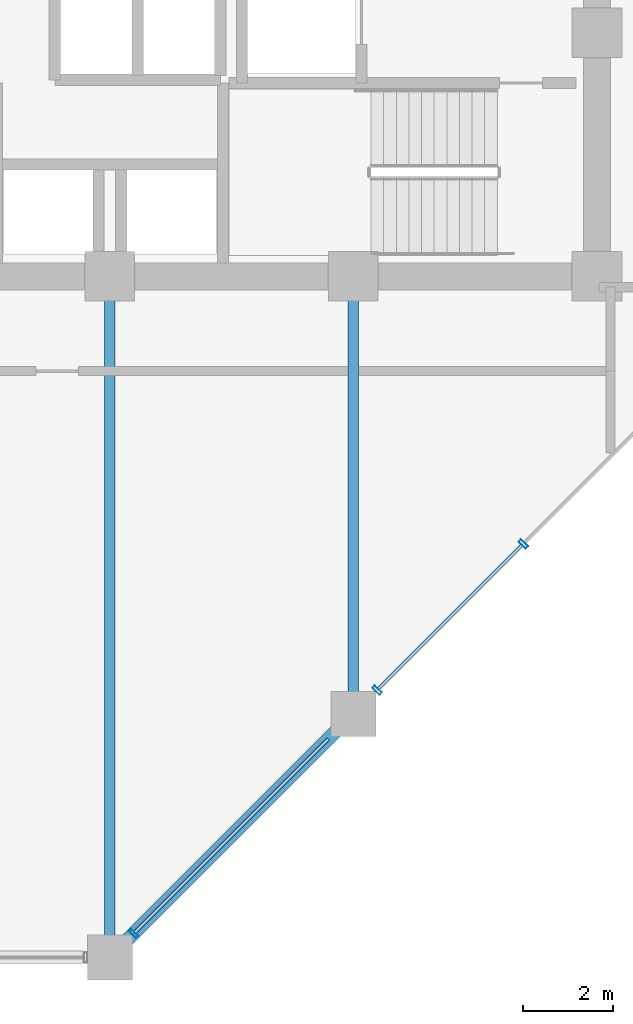
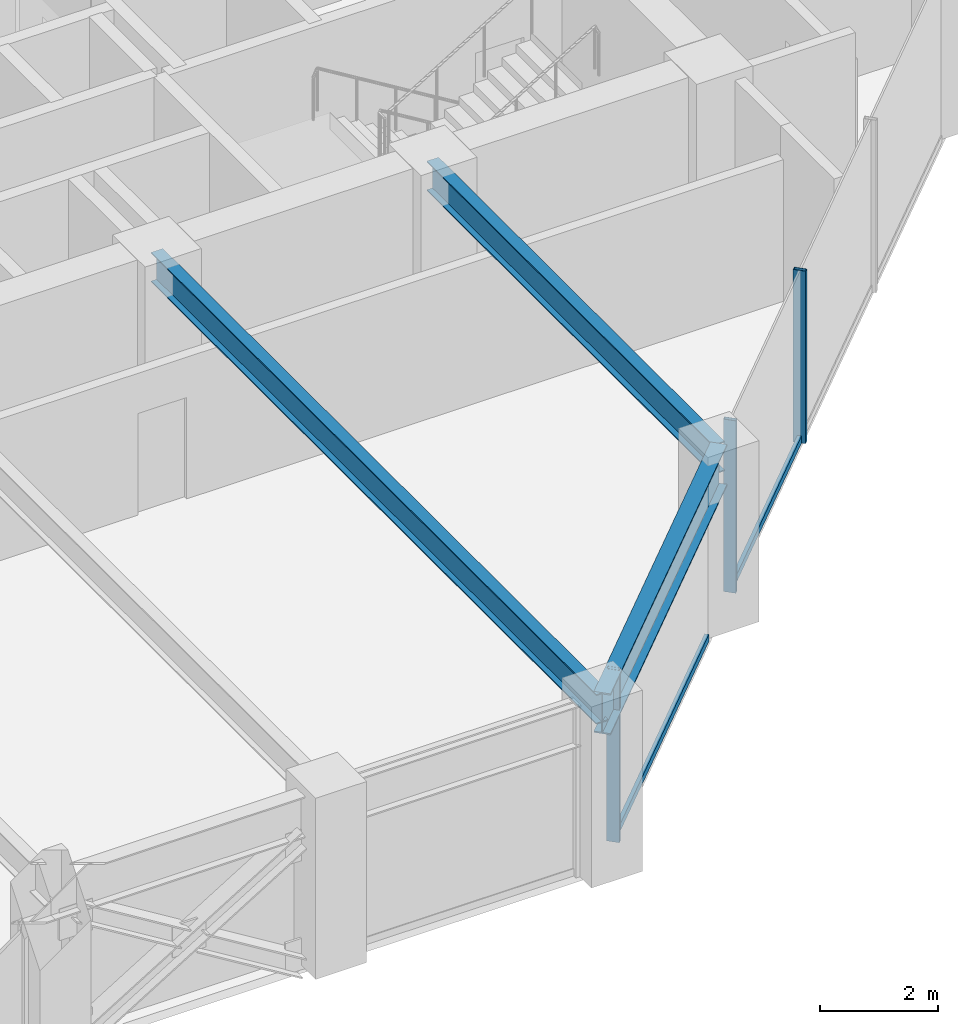
# One storey, part 7 of 23: 5 members, 3 beams, 1 element without a shape of its own.
"""IFC4 building model written with IfcOpenShell, lengths in metres."""

import ifcopenshell
import ifcopenshell.guid

model = None  # the IFC model being written
_history = None  # IfcOwnerHistory: only IFC2X3 demands one
_inside = {}  # id of a spatial element -> (the spatial element, [elements in it])
_under = {}  # id of a project, library or spatial element -> (it, [spatial elements below it])
_declared = {}  # id of a project -> (the project, [libraries it declares])
_typed = {}  # id of a type object -> (the type object, [elements of that type])
_made_of = {}  # id of a material, layer set ... -> (it, [elements and type objects made of it])


def new_model(schema):
    """Start an empty IFC model of exactly this schema.

    Asked for "IFC4X3", IfcOpenShell would pick the latest addendum, in which some entities
    have other attributes; the version numbers below select the first issue.
    IFC2X3 requires an IfcOwnerHistory on every rooted entity: one is made here for all.
    """
    global model, _history
    if schema == "IFC4X3":
        model = ifcopenshell.file(schema_version=(4, 3, 0, 0))
    else:
        model = ifcopenshell.file(schema=schema)
    _inside.clear()
    _under.clear()
    _declared.clear()
    _typed.clear()
    _made_of.clear()
    _history = None
    if model.schema == "IFC2X3":
        org = make("IfcOrganization", Name="unknown")
        user = make(
            "IfcPersonAndOrganization",
            ThePerson=make("IfcPerson", FamilyName="unknown"),
            TheOrganization=org,
        )
        app = make(
            "IfcApplication",
            ApplicationDeveloper=org,
            Version="unknown",
            ApplicationFullName="unknown",
            ApplicationIdentifier="unknown",
        )
        _history = make(
            "IfcOwnerHistory",
            OwningUser=user,
            OwningApplication=app,
            ChangeAction="ADDED",
            CreationDate=0,
        )
    return model


def make(cls, **values):
    """One entity of the class cls with the attributes given. An attribute that is None is left unset."""
    return model.create_entity(
        cls, **{name: value for name, value in values.items() if value is not None}
    )


def rooted(cls, **values):
    """An entity with a GlobalId (a new one), such as an element, a storey or a relation."""
    return make(cls, GlobalId=ifcopenshell.guid.new(), OwnerHistory=_history, **values)


def si_unit(unit_type, name, prefix=None):
    """IfcSIUnit, for example si_unit("LENGTHUNIT", "METRE", prefix="MILLI")."""
    return make("IfcSIUnit", UnitType=unit_type, Prefix=prefix, Name=name)


def assignment(units):
    """IfcUnitAssignment: the units of a project."""
    return None if units is None else make("IfcUnitAssignment", Units=units)


def point(xyz):
    """IfcCartesianPoint."""
    return None if xyz is None else make("IfcCartesianPoint", Coordinates=xyz)


def direction(xyz):
    """IfcDirection."""
    return None if xyz is None else make("IfcDirection", DirectionRatios=xyz)


def frame(location, z_axis=None, x_axis=None):
    """IfcAxis2Placement3D, a coordinate frame: its origin and axes. An axis left out is left unset."""
    return make(
        "IfcAxis2Placement3D",
        Location=point(location),
        Axis=direction(z_axis),
        RefDirection=direction(x_axis),
    )


def frame_2d(location, x_axis=None):
    """IfcAxis2Placement2D, a coordinate frame in the plane: its origin and x axis."""
    return make(
        "IfcAxis2Placement2D", Location=point(location), RefDirection=direction(x_axis)
    )


def origin():
    """The frame at (0, 0, 0) with its axes left unset."""
    return frame((0.0, 0.0, 0.0))


def origin_2d():
    """The frame at (0, 0) in the plane with its x axis left unset."""
    return frame_2d((0.0, 0.0))


def place(relative_to, where):
    """IfcLocalPlacement: puts the frame where relative to a parent placement (None: the world)."""
    return make(
        "IfcLocalPlacement", PlacementRelTo=relative_to, RelativePlacement=where
    )


def context(
    kind, dimensions, precision=None, world=None, true_north=None, identifier=None
):
    """IfcGeometricRepresentationContext, for example the 3D "Model" context."""
    return make(
        "IfcGeometricRepresentationContext",
        ContextIdentifier=identifier,
        ContextType=kind,
        CoordinateSpaceDimension=dimensions,
        Precision=precision,
        WorldCoordinateSystem=world,
        TrueNorth=true_north,
    )


def subcontext(parent, identifier, kind, view, scale=None):
    """IfcGeometricRepresentationSubContext, for example "Body" below "Model"."""
    return make(
        "IfcGeometricRepresentationSubContext",
        ContextIdentifier=identifier,
        ContextType=kind,
        ParentContext=parent,
        TargetScale=scale,
        TargetView=view,
    )


def project(units=None, contexts=None):
    """IfcProject with its units and contexts."""
    return rooted(
        "IfcProject",
        Name="project",
        RepresentationContexts=contexts,
        UnitsInContext=assignment(units),
    )


def spatial(cls, under=None, at=None, **own):
    """A site, building, storey or space (cls), placed at a placement, below another one or the project."""
    s = rooted(cls, ObjectPlacement=at, **own)
    if under is not None:
        _under.setdefault(under.id(), (under, []))[1].append(s)
    return s


def profile(cls, at=None, kind="AREA", **sizes):
    """A parametric profile (cls). Its sizes go by their IFC names, for example OverallWidth=200.0."""
    return make(cls, ProfileType=kind, Position=at, **sizes)


def hollow_rectangle(**sizes):
    """IfcRectangleHollowProfileDef."""
    return profile("IfcRectangleHollowProfileDef", **sizes)


def i_section(**sizes):
    """IfcIShapeProfileDef."""
    return profile("IfcIShapeProfileDef", **sizes)


def extrude(swept, where, along, depth):
    """IfcExtrudedAreaSolid: the profile swept, set in the frame where, extruded along a direction by depth."""
    return make(
        "IfcExtrudedAreaSolid",
        SweptArea=swept,
        Position=where,
        ExtrudedDirection=direction(along),
        Depth=depth,
    )


def shape(context_of_items, identifier, shape_type, items):
    """IfcShapeRepresentation: the items that make up one representation, for example the "Body"."""
    return make(
        "IfcShapeRepresentation",
        ContextOfItems=context_of_items,
        RepresentationIdentifier=identifier,
        RepresentationType=shape_type,
        Items=items,
    )


def material(Name=None, Category=None):
    """IfcMaterial."""
    return make("IfcMaterial", Name=Name, Category=Category)


def layer(
    of_material, thickness, ventilated=None, Name=None, Category=None, Priority=None
):
    """IfcMaterialLayer: one layer of a wall or slab, of a material (None: an air gap)."""
    return make(
        "IfcMaterialLayer",
        Material=of_material,
        LayerThickness=thickness,
        IsVentilated=ventilated,
        Name=Name,
        Category=Category,
        Priority=Priority,
    )


def layer_set(layers, Name=None):
    """IfcMaterialLayerSet."""
    return make("IfcMaterialLayerSet", MaterialLayers=layers, LayerSetName=Name)


def material_profile(
    of_material, cross_section, Name=None, Category=None, Priority=None
):
    """IfcMaterialProfile: a cross section and its material."""
    return make(
        "IfcMaterialProfile",
        Name=Name,
        Material=of_material,
        Profile=cross_section,
        Priority=Priority,
        Category=Category,
    )


def profile_set(profiles, Name=None, composite=None):
    """IfcMaterialProfileSet."""
    return make(
        "IfcMaterialProfileSet",
        Name=Name,
        MaterialProfiles=profiles,
        CompositeProfile=composite,
    )


def made_of(thing, what):
    """Note that an element or type object is made of a material, layer set ...; save() writes the relation."""
    if what is not None:
        _made_of.setdefault(what.id(), (what, []))[1].append(thing)
    return thing


def type_object(cls, material=None, **own):
    """A type object (cls), such as IfcWallType, which elements share."""
    return made_of(rooted(cls, **own), material)


def element(
    cls,
    number,
    at=None,
    inside=None,
    cuts=None,
    type_object=None,
    material=None,
    context=None,
    identifier="Body",
    shape_type=None,
    held_by="IfcProductDefinitionShape",
    body=None,
    shapes=None,
    **own,
):
    """One element of the class cls, such as IfcWall. Its Tag is "e" and its number.

    at: its placement. inside: the storey or other place that contains it. cuts: it is an
    opening in that element (IfcRelVoidsElement). A single representation is given by context,
    identifier, shape_type and body (its items); several are given by shapes. held_by: the class
    of the entity that holds the representations. save() writes the other relations.
    """
    e = rooted(cls, Tag="e%d" % number, ObjectPlacement=at, **own)
    if body is not None:
        shapes = [shape(context, identifier, shape_type, body)]
    if shapes is not None:
        e.Representation = make(held_by, Representations=shapes)
    if inside is not None:
        _inside.setdefault(inside.id(), (inside, []))[1].append(e)
    if cuts is not None:
        rooted(
            "IfcRelVoidsElement", RelatingBuildingElement=cuts, RelatedOpeningElement=e
        )
    if type_object is not None:
        _typed.setdefault(type_object.id(), (type_object, []))[1].append(e)
    return made_of(e, material)


def aggregate(whole, parts):
    """IfcRelAggregates: a whole, such as a stair, and the parts it consists of."""
    return rooted("IfcRelAggregates", RelatingObject=whole, RelatedObjects=parts)


def save(model, path):
    """Write the relations noted so far, then the file.

    IfcRelAggregates (storeys below a building ...), IfcRelContainedInSpatialStructure (elements
    in a storey), IfcRelDefinesByType, IfcRelAssociatesMaterial and IfcRelDeclares: one each for
    every whole, place, type object, material and project.
    """
    for whole, parts in _under.values():
        aggregate(whole, parts)
    for where, things in _inside.values():
        rooted(
            "IfcRelContainedInSpatialStructure",
            RelatedElements=things,
            RelatingStructure=where,
        )
    for kind, things in _typed.values():
        rooted("IfcRelDefinesByType", RelatedObjects=things, RelatingType=kind)
    for what, things in _made_of.values():
        rooted("IfcRelAssociatesMaterial", RelatedObjects=things, RelatingMaterial=what)
    for by, libraries in _declared.values():
        rooted("IfcRelDeclares", RelatingContext=by, RelatedDefinitions=libraries)
    model.write(path)


model = new_model("IFC4")

# Units and contexts
model_context = context("Model", 3, precision=1e-05, world=origin(), true_north=direction((0.0, 1.0)))
body_context = subcontext(model_context, "Body", "Model", "MODEL_VIEW")
ifc_project = project(units=[si_unit("LENGTHUNIT", "METRE"), si_unit("AREAUNIT", "SQUARE_METRE"), si_unit("VOLUMEUNIT", "CUBIC_METRE"), si_unit("PLANEANGLEUNIT", "RADIAN"), si_unit("MASSUNIT", "GRAM", prefix="KILO")], contexts=[model_context])

# Site, building, storey
site_placement = place(None, origin())
site = spatial("IfcSite", under=ifc_project, at=site_placement, CompositionType="ELEMENT")
building_placement = place(site_placement, origin())
building = spatial("IfcBuilding", under=site, at=building_placement, Name="Surkhivell Harbour Commons", CompositionType="ELEMENT")
storey_placement = place(building_placement, frame((0.0, 0.0, 132.0)))
storey = spatial("IfcBuildingStorey", under=building, at=storey_placement, Name="L34", CompositionType="ELEMENT", Elevation=132.0)

# Beams
ifc_material_1 = material(Name="Steel S355", Category="steel")
ifc_material_profile_1 = material_profile(ifc_material_1, i_section(OverallWidth=0.22998046875, OverallDepth=0.616943359375, WebThickness=0.01318359375, FlangeThickness=0.022216796875, at=origin_2d()), Name="UB610x229x140")
ifc_profile_set_1 = profile_set([ifc_material_profile_1], Name="Steel S355")
beam_type_1 = type_object("IfcBeamType", Name="BM-GRD-610B", PredefinedType="BEAM", material=ifc_profile_set_1)
beam_1_placement = place(storey_placement, frame((0.0, -25.89990234375, 3.261474609375), z_axis=(0.0, 1.0, 0.0), x_axis=(-1.0, 0.0, 0.0)))
element("IfcBeam", 1, at=beam_1_placement, inside=storey, type_object=beam_type_1, Name="L34 Floor Girder (0.0,-25.9)", PredefinedType="BEAM", context=body_context, shape_type="SweptSolid", body=[
    extrude(i_section(OverallWidth=0.22998046875, OverallDepth=0.616943359375, WebThickness=0.01318359375, FlangeThickness=0.022216796875, at=origin_2d()), origin(), (0.0, 0.0, 1.0), 15.099853515625),
])
beam_2_placement = place(storey_placement, frame((5.39990234375, -20.5, 3.261474609375), z_axis=(0.0, 1.0, 0.0), x_axis=(-1.0, 0.0, 0.0)))
element("IfcBeam", 2, at=beam_2_placement, inside=storey, type_object=beam_type_1, Name="L34 Floor Girder (5.4,-20.5)", PredefinedType="BEAM", context=body_context, shape_type="SweptSolid", body=[
    extrude(i_section(OverallWidth=0.22998046875, OverallDepth=0.616943359375, WebThickness=0.01318359375, FlangeThickness=0.022216796875, at=origin_2d()), origin(), (0.0, 0.0, 1.0), 9.699951171875),
])
ifc_material_2 = material(Name="Steel S460", Category="steel")
ifc_material_profile_2 = material_profile(ifc_material_2, i_section(OverallWidth=0.2939453125, OverallDepth=0.85107421875, WebThickness=0.01611328125, FlangeThickness=0.02685546875, at=origin_2d()), Name="UB838x292x226")
ifc_profile_set_2 = profile_set([ifc_material_profile_2], Name="Steel S460")
beam_type_2 = type_object("IfcBeamType", Name="BM-SPN-838", PredefinedType="SPANDREL", material=ifc_profile_set_2)
beam_3_placement = place(storey_placement, frame((0.0, -25.89990234375, 3.14453125), z_axis=(0.707106781187, 0.707106781187, 0.0), x_axis=(-0.707106781187, 0.707106781187, 0.0)))
element("IfcBeam", 3, at=beam_3_placement, inside=storey, type_object=beam_type_2, Name="L34 Tube Spandrel (-0.0,-25.9)", PredefinedType="SPANDREL", context=body_context, shape_type="SweptSolid", body=[
    extrude(i_section(OverallWidth=0.2939453125, OverallDepth=0.85107421875, WebThickness=0.01611328125, FlangeThickness=0.02685546875, at=origin_2d()), origin(), (0.0, 0.0, 1.0), 7.63671875),
])

# Curtain wall, members
ifc_material_3 = material(Name="Anodised pale-metal aluminium and insulated glazing", Category="aluminium")
ifc_layer = layer(ifc_material_3, 0.205078125)
ifc_layer_set = layer_set([ifc_layer], Name="Anodised pale-metal aluminium and insulated glazing")
curtain_wall_type = type_object("IfcCurtainWallType", Name="CW-SYS-Z2", PredefinedType="NOTDEFINED", material=ifc_layer_set)
curtain_wall_placement = place(storey_placement, origin())
curtain_wall = element("IfcCurtainWall", 4, at=curtain_wall_placement, inside=storey, type_object=curtain_wall_type, Name="L34 Curtain Wall CW-L34-E01", PredefinedType="NOTDEFINED")
ifc_material_4 = material(Name="Anodised pale-metal aluminium alloy 6063-T6", Category="aluminium")
ifc_material_profile_3 = material_profile(ifc_material_4, hollow_rectangle(XDim=0.074951171875, YDim=0.219970703125, WallThickness=0.00390625, at=origin_2d()), Name="ALU-MULL-75x220")
ifc_profile_set_3 = profile_set([ifc_material_profile_3], Name="Anodised pale-metal aluminium alloy 6063-T6")
member_type_1 = type_object("IfcMemberType", Name="CWM-220", PredefinedType="MULLION", material=ifc_profile_set_3)
member_1_placement = place(storey_placement, frame((0.5283203125, -25.371826171875, 0.0), z_axis=(0.0, 0.0, 1.0), x_axis=(0.707106781187, 0.707106781187, 0.0)))
member_1 = element("IfcMember", 5, at=member_1_placement, type_object=member_type_1, Name="CW-Z2 mullion 1", PredefinedType="MULLION", context=body_context, shape_type="SweptSolid", body=[
    extrude(hollow_rectangle(XDim=0.074951171875, YDim=0.219970703125, WallThickness=0.00390625, at=origin_2d()), origin(), (0.0, 0.0, 1.0), 3.570068359375),
])
member_2_placement = place(storey_placement, frame((5.92822265625, -19.9716796875, 0.0), z_axis=(0.0, 0.0, 1.0), x_axis=(0.707106781187, 0.707106781187, 0.0)))
member_2 = element("IfcMember", 6, at=member_2_placement, type_object=member_type_1, Name="CW-Z2 mullion 2", PredefinedType="MULLION", context=body_context, shape_type="SweptSolid", body=[
    extrude(hollow_rectangle(XDim=0.074951171875, YDim=0.219970703125, WallThickness=0.00390625, at=origin_2d()), origin(), (0.0, 0.0, 1.0), 3.570068359375),
])
member_3_placement = place(storey_placement, frame((9.167236328125, -16.732666015625, 0.0), z_axis=(0.0, 0.0, 1.0), x_axis=(0.707106781187, 0.707106781187, 0.0)))
member_3 = element("IfcMember", 7, at=member_3_placement, type_object=member_type_1, Name="CW-Z2 mullion 3", PredefinedType="MULLION", context=body_context, shape_type="SweptSolid", body=[
    extrude(hollow_rectangle(XDim=0.074951171875, YDim=0.219970703125, WallThickness=0.00390625, at=origin_2d()), origin(), (0.0, 0.0, 1.0), 3.570068359375),
])
ifc_material_profile_4 = material_profile(ifc_material_4, hollow_rectangle(XDim=0.074951171875, YDim=0.14990234375, WallThickness=0.00341796875, at=origin_2d()), Name="ALU-TRAN-75x150")
ifc_profile_set_4 = profile_set([ifc_material_profile_4], Name="Anodised pale-metal aluminium alloy 6063-T6")
member_type_2 = type_object("IfcMemberType", Name="CWT-150", PredefinedType="USERDEFINED", material=ifc_profile_set_4)
member_4_placement = place(storey_placement, frame((0.5546875, -25.34521484375, 0.074951171875), z_axis=(0.707106781187, 0.707106781187, 0.0), x_axis=(-0.707106781187, 0.707106781187, 0.0)))
member_4 = element("IfcMember", 8, at=member_4_placement, type_object=member_type_2, Name="CW-Z2 transom 1.1", ObjectType="TRANSOM", PredefinedType="USERDEFINED", context=body_context, shape_type="SweptSolid", body=[
    extrude(hollow_rectangle(XDim=0.074951171875, YDim=0.14990234375, WallThickness=0.00341796875, at=origin_2d()), origin(), (0.0, 0.0, 1.0), 6.067626953125),
])
member_5_placement = place(storey_placement, frame((5.954833984375, -19.9453125, 0.074951171875), z_axis=(0.707079687416, 0.707133873919, 0.0), x_axis=(-0.707133873919, 0.707079687416, 0.0)))
member_5 = element("IfcMember", 9, at=member_5_placement, type_object=member_type_2, Name="CW-Z2 transom 2.1", ObjectType="TRANSOM", PredefinedType="USERDEFINED", context=body_context, shape_type="SweptSolid", body=[
    extrude(hollow_rectangle(XDim=0.074951171875, YDim=0.14990234375, WallThickness=0.00341796875, at=origin_2d()), origin(), (0.0, 0.0, 1.0), 4.505615234375),
])
aggregate(curtain_wall, [member_1, member_4, member_2, member_3, member_5])

save(model, "model.ifc")
